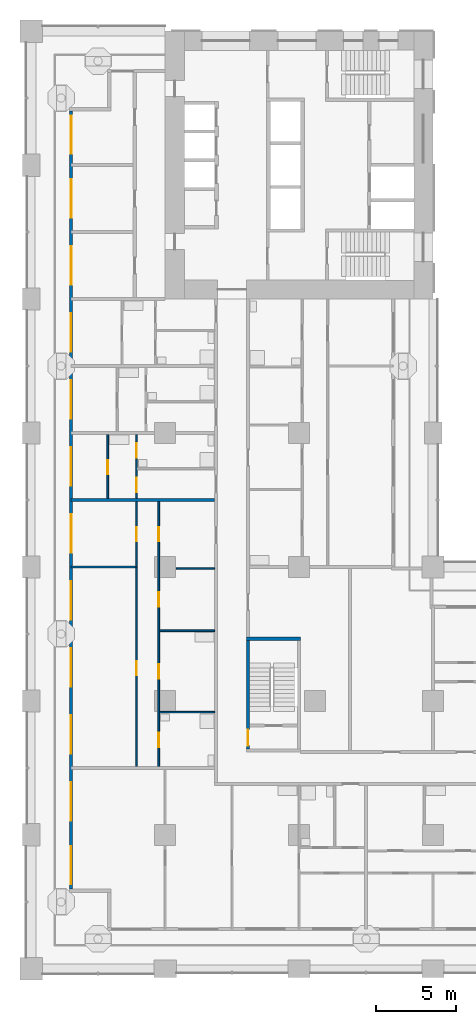
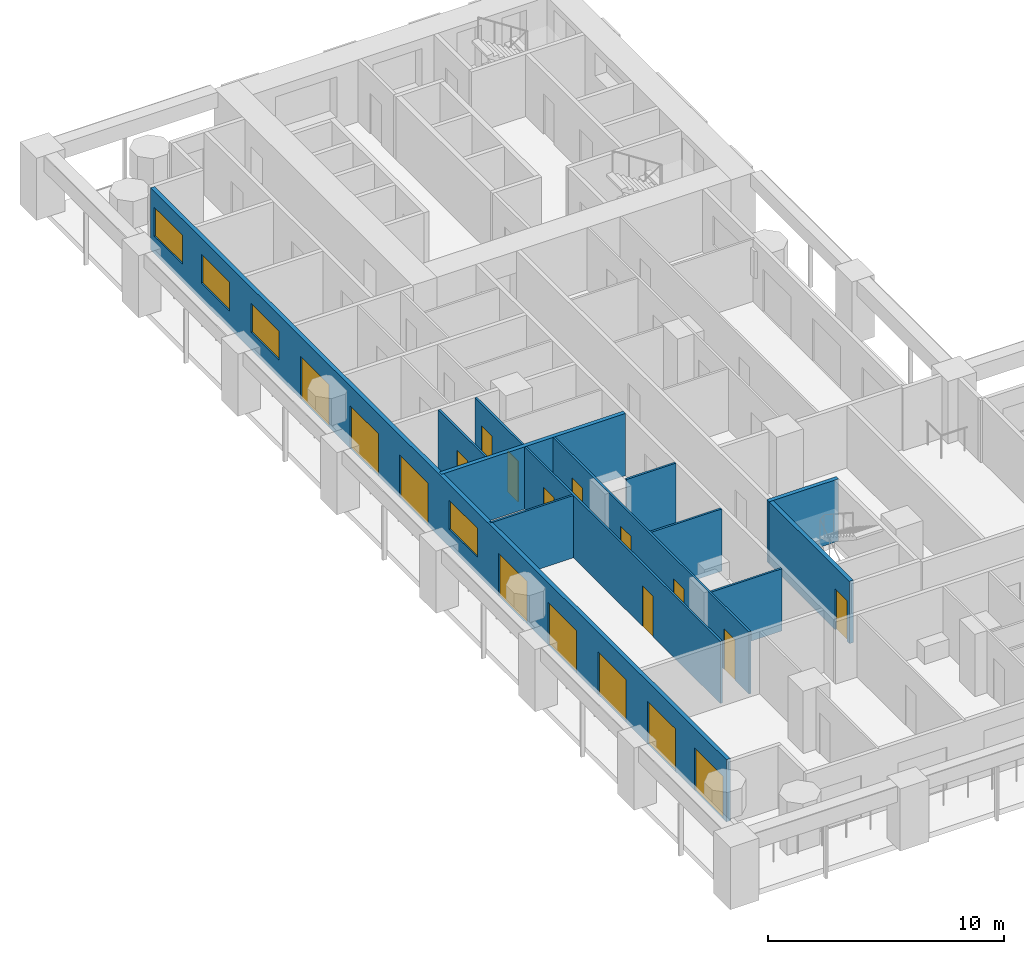
# One storey, part 3 of 19: 18 doors, 11 walls, 4 windows, 22 openings.
"""IFC4 building model written with IfcOpenShell, lengths in metres."""

import ifcopenshell
import ifcopenshell.guid

model = None  # the IFC model being written
_history = None  # IfcOwnerHistory: only IFC2X3 demands one
_inside = {}  # id of a spatial element -> (the spatial element, [elements in it])
_under = {}  # id of a project, library or spatial element -> (it, [spatial elements below it])
_declared = {}  # id of a project -> (the project, [libraries it declares])
_typed = {}  # id of a type object -> (the type object, [elements of that type])
_made_of = {}  # id of a material, layer set ... -> (it, [elements and type objects made of it])


def new_model(schema):
    """Start an empty IFC model of exactly this schema.

    Asked for "IFC4X3", IfcOpenShell would pick the latest addendum, in which some entities
    have other attributes; the version numbers below select the first issue.
    IFC2X3 requires an IfcOwnerHistory on every rooted entity: one is made here for all.
    """
    global model, _history
    if schema == "IFC4X3":
        model = ifcopenshell.file(schema_version=(4, 3, 0, 0))
    else:
        model = ifcopenshell.file(schema=schema)
    _inside.clear()
    _under.clear()
    _declared.clear()
    _typed.clear()
    _made_of.clear()
    _history = None
    if model.schema == "IFC2X3":
        org = make("IfcOrganization", Name="unknown")
        user = make(
            "IfcPersonAndOrganization",
            ThePerson=make("IfcPerson", FamilyName="unknown"),
            TheOrganization=org,
        )
        app = make(
            "IfcApplication",
            ApplicationDeveloper=org,
            Version="unknown",
            ApplicationFullName="unknown",
            ApplicationIdentifier="unknown",
        )
        _history = make(
            "IfcOwnerHistory",
            OwningUser=user,
            OwningApplication=app,
            ChangeAction="ADDED",
            CreationDate=0,
        )
    return model


def make(cls, **values):
    """One entity of the class cls with the attributes given. An attribute that is None is left unset."""
    return model.create_entity(
        cls, **{name: value for name, value in values.items() if value is not None}
    )


def rooted(cls, **values):
    """An entity with a GlobalId (a new one), such as an element, a storey or a relation."""
    return make(cls, GlobalId=ifcopenshell.guid.new(), OwnerHistory=_history, **values)


def si_unit(unit_type, name, prefix=None):
    """IfcSIUnit, for example si_unit("LENGTHUNIT", "METRE", prefix="MILLI")."""
    return make("IfcSIUnit", UnitType=unit_type, Prefix=prefix, Name=name)


def assignment(units):
    """IfcUnitAssignment: the units of a project."""
    return None if units is None else make("IfcUnitAssignment", Units=units)


def point(xyz):
    """IfcCartesianPoint."""
    return None if xyz is None else make("IfcCartesianPoint", Coordinates=xyz)


def direction(xyz):
    """IfcDirection."""
    return None if xyz is None else make("IfcDirection", DirectionRatios=xyz)


def frame(location, z_axis=None, x_axis=None):
    """IfcAxis2Placement3D, a coordinate frame: its origin and axes. An axis left out is left unset."""
    return make(
        "IfcAxis2Placement3D",
        Location=point(location),
        Axis=direction(z_axis),
        RefDirection=direction(x_axis),
    )


def frame_2d(location, x_axis=None):
    """IfcAxis2Placement2D, a coordinate frame in the plane: its origin and x axis."""
    return make(
        "IfcAxis2Placement2D", Location=point(location), RefDirection=direction(x_axis)
    )


def origin():
    """The frame at (0, 0, 0) with its axes left unset."""
    return frame((0.0, 0.0, 0.0))


def place(relative_to, where):
    """IfcLocalPlacement: puts the frame where relative to a parent placement (None: the world)."""
    return make(
        "IfcLocalPlacement", PlacementRelTo=relative_to, RelativePlacement=where
    )


def context(
    kind, dimensions, precision=None, world=None, true_north=None, identifier=None
):
    """IfcGeometricRepresentationContext, for example the 3D "Model" context."""
    return make(
        "IfcGeometricRepresentationContext",
        ContextIdentifier=identifier,
        ContextType=kind,
        CoordinateSpaceDimension=dimensions,
        Precision=precision,
        WorldCoordinateSystem=world,
        TrueNorth=true_north,
    )


def subcontext(parent, identifier, kind, view, scale=None):
    """IfcGeometricRepresentationSubContext, for example "Body" below "Model"."""
    return make(
        "IfcGeometricRepresentationSubContext",
        ContextIdentifier=identifier,
        ContextType=kind,
        ParentContext=parent,
        TargetScale=scale,
        TargetView=view,
    )


def project(units=None, contexts=None):
    """IfcProject with its units and contexts."""
    return rooted(
        "IfcProject",
        Name="project",
        RepresentationContexts=contexts,
        UnitsInContext=assignment(units),
    )


def spatial(cls, under=None, at=None, **own):
    """A site, building, storey or space (cls), placed at a placement, below another one or the project."""
    s = rooted(cls, ObjectPlacement=at, **own)
    if under is not None:
        _under.setdefault(under.id(), (under, []))[1].append(s)
    return s


def profile(cls, at=None, kind="AREA", **sizes):
    """A parametric profile (cls). Its sizes go by their IFC names, for example OverallWidth=200.0."""
    return make(cls, ProfileType=kind, Position=at, **sizes)


def rectangle(**sizes):
    """IfcRectangleProfileDef."""
    return profile("IfcRectangleProfileDef", **sizes)


def extrude(swept, where, along, depth):
    """IfcExtrudedAreaSolid: the profile swept, set in the frame where, extruded along a direction by depth."""
    return make(
        "IfcExtrudedAreaSolid",
        SweptArea=swept,
        Position=where,
        ExtrudedDirection=direction(along),
        Depth=depth,
    )


def shape(context_of_items, identifier, shape_type, items):
    """IfcShapeRepresentation: the items that make up one representation, for example the "Body"."""
    return make(
        "IfcShapeRepresentation",
        ContextOfItems=context_of_items,
        RepresentationIdentifier=identifier,
        RepresentationType=shape_type,
        Items=items,
    )


def material(Name=None, Category=None):
    """IfcMaterial."""
    return make("IfcMaterial", Name=Name, Category=Category)


def layer(
    of_material, thickness, ventilated=None, Name=None, Category=None, Priority=None
):
    """IfcMaterialLayer: one layer of a wall or slab, of a material (None: an air gap)."""
    return make(
        "IfcMaterialLayer",
        Material=of_material,
        LayerThickness=thickness,
        IsVentilated=ventilated,
        Name=Name,
        Category=Category,
        Priority=Priority,
    )


def layer_set(layers, Name=None):
    """IfcMaterialLayerSet."""
    return make("IfcMaterialLayerSet", MaterialLayers=layers, LayerSetName=Name)


def made_of(thing, what):
    """Note that an element or type object is made of a material, layer set ...; save() writes the relation."""
    if what is not None:
        _made_of.setdefault(what.id(), (what, []))[1].append(thing)
    return thing


def type_object(cls, material=None, **own):
    """A type object (cls), such as IfcWallType, which elements share."""
    return made_of(rooted(cls, **own), material)


def element(
    cls,
    number,
    at=None,
    inside=None,
    cuts=None,
    type_object=None,
    material=None,
    context=None,
    identifier="Body",
    shape_type=None,
    held_by="IfcProductDefinitionShape",
    body=None,
    shapes=None,
    **own,
):
    """One element of the class cls, such as IfcWall. Its Tag is "e" and its number.

    at: its placement. inside: the storey or other place that contains it. cuts: it is an
    opening in that element (IfcRelVoidsElement). A single representation is given by context,
    identifier, shape_type and body (its items); several are given by shapes. held_by: the class
    of the entity that holds the representations. save() writes the other relations.
    """
    e = rooted(cls, Tag="e%d" % number, ObjectPlacement=at, **own)
    if body is not None:
        shapes = [shape(context, identifier, shape_type, body)]
    if shapes is not None:
        e.Representation = make(held_by, Representations=shapes)
    if inside is not None:
        _inside.setdefault(inside.id(), (inside, []))[1].append(e)
    if cuts is not None:
        rooted(
            "IfcRelVoidsElement", RelatingBuildingElement=cuts, RelatedOpeningElement=e
        )
    if type_object is not None:
        _typed.setdefault(type_object.id(), (type_object, []))[1].append(e)
    return made_of(e, material)


def fill(opening, filler):
    """IfcRelFillsElement: the door or window that sits in an opening."""
    return rooted(
        "IfcRelFillsElement",
        RelatingOpeningElement=opening,
        RelatedBuildingElement=filler,
    )


def aggregate(whole, parts):
    """IfcRelAggregates: a whole, such as a stair, and the parts it consists of."""
    return rooted("IfcRelAggregates", RelatingObject=whole, RelatedObjects=parts)


def save(model, path):
    """Write the relations noted so far, then the file.

    IfcRelAggregates (storeys below a building ...), IfcRelContainedInSpatialStructure (elements
    in a storey), IfcRelDefinesByType, IfcRelAssociatesMaterial and IfcRelDeclares: one each for
    every whole, place, type object, material and project.
    """
    for whole, parts in _under.values():
        aggregate(whole, parts)
    for where, things in _inside.values():
        rooted(
            "IfcRelContainedInSpatialStructure",
            RelatedElements=things,
            RelatingStructure=where,
        )
    for kind, things in _typed.values():
        rooted("IfcRelDefinesByType", RelatedObjects=things, RelatingType=kind)
    for what, things in _made_of.values():
        rooted("IfcRelAssociatesMaterial", RelatedObjects=things, RelatingMaterial=what)
    for by, libraries in _declared.values():
        rooted("IfcRelDeclares", RelatingContext=by, RelatedDefinitions=libraries)
    model.write(path)


model = new_model("IFC4")

# Units and contexts
model_context = context("Model", 3, precision=1e-05, world=origin(), true_north=direction((0.0, 1.0)))
body_context = subcontext(model_context, "Body", "Model", "MODEL_VIEW")
ifc_project = project(units=[si_unit("LENGTHUNIT", "METRE"), si_unit("AREAUNIT", "SQUARE_METRE"), si_unit("VOLUMEUNIT", "CUBIC_METRE"), si_unit("PLANEANGLEUNIT", "RADIAN"), si_unit("MASSUNIT", "GRAM", prefix="KILO")], contexts=[model_context])

# Site, building, storey
site_placement = place(None, origin())
site = spatial("IfcSite", under=ifc_project, at=site_placement, CompositionType="ELEMENT")
building_placement = place(site_placement, origin())
building = spatial("IfcBuilding", under=site, at=building_placement, Name="Vermilion Gate Residences", CompositionType="ELEMENT")
storey_placement = place(building_placement, frame((0.0, 0.0, 32.199951171875)))
storey = spatial("IfcBuildingStorey", under=building, at=storey_placement, Name="L06", CompositionType="ELEMENT", Elevation=32.199951171875)

# Wall, openings, doors, windows
ifc_material_1 = material(Name="Insulated steel stud wall with terracotta rainscreen", Category="masonry")
ifc_layer_1 = layer(ifc_material_1, 0.199951171875)
ifc_layer_set_1 = layer_set([ifc_layer_1], Name="EXTERNAL WALL 200 TERRACOTTA RAINSCREEN")
wall_type_1 = type_object("IfcWallType", Name="EXTERNAL WALL 200 TERRACOTTA RAINSCREEN", PredefinedType="SOLIDWALL", material=ifc_layer_set_1)
wall_1_placement = place(storey_placement, frame((2.5, 53.800048828125, 0.0), z_axis=(0.0, 0.0, 1.0), x_axis=(0.0, -1.0, 0.0)))
wall_1 = element("IfcWall", 1, at=wall_1_placement, inside=storey, type_object=wall_type_1, Name="External wall", PredefinedType="SOLIDWALL", context=body_context, shape_type="SweptSolid", body=[
    extrude(rectangle(XDim=48.800048828125, YDim=0.199951171875, at=frame_2d((24.39990234375, 0.0))), origin(), (0.0, 0.0, 1.0), 3.219970703125),
])
opening_1_placement = place(wall_1_placement, frame((46.10009765625, 0.0, 0.0)))
opening_1 = element("IfcOpeningElement", 2, at=opening_1_placement, cuts=wall_1, Name="Opening DE06002", PredefinedType="OPENING", context=body_context, shape_type="SweptSolid", body=[
    extrude(rectangle(XDim=2.39990234375, YDim=2.199951171875, at=frame_2d((1.199951171875, 1.10009765625))), frame((0.0, 0.10986328125, 0.0), z_axis=(0.0, -1.0, 0.0), x_axis=(1.0, 0.0, 0.0)), (0.0, 0.0, 1.0), 0.219970703125),
])
opening_2_placement = place(wall_1_placement, frame((42.10009765625, 0.0, 0.0)))
opening_2 = element("IfcOpeningElement", 3, at=opening_2_placement, cuts=wall_1, Name="Opening DE06003", PredefinedType="OPENING", context=body_context, shape_type="SweptSolid", body=[
    extrude(rectangle(XDim=2.39990234375, YDim=2.199951171875, at=frame_2d((1.199951171875, 1.10009765625))), frame((0.0, 0.10986328125, 0.0), z_axis=(0.0, -1.0, 0.0), x_axis=(1.0, 0.0, 0.0)), (0.0, 0.0, 1.0), 0.219970703125),
])
opening_3_placement = place(wall_1_placement, frame((37.89990234375, 0.0, 0.0)))
opening_3 = element("IfcOpeningElement", 4, at=opening_3_placement, cuts=wall_1, Name="Opening DE06004", PredefinedType="OPENING", context=body_context, shape_type="SweptSolid", body=[
    extrude(rectangle(XDim=2.39990234375, YDim=2.199951171875, at=frame_2d((1.199951171875, 1.10009765625))), frame((0.0, 0.10986328125, 0.0), z_axis=(0.0, -1.0, 0.0), x_axis=(1.0, 0.0, 0.0)), (0.0, 0.0, 1.0), 0.219970703125),
])
opening_4_placement = place(wall_1_placement, frame((33.699951171875, 0.0, 0.0)))
opening_4 = element("IfcOpeningElement", 5, at=opening_4_placement, cuts=wall_1, Name="Opening DE06005", PredefinedType="OPENING", context=body_context, shape_type="SweptSolid", body=[
    extrude(rectangle(XDim=2.39990234375, YDim=2.199951171875, at=frame_2d((1.199951171875, 1.10009765625))), frame((0.0, 0.10986328125, 0.0), z_axis=(0.0, -1.0, 0.0), x_axis=(1.0, 0.0, 0.0)), (0.0, 0.0, 1.0), 0.219970703125),
])
opening_5_placement = place(wall_1_placement, frame((29.5, 0.0, 0.0)))
opening_5 = element("IfcOpeningElement", 6, at=opening_5_placement, cuts=wall_1, Name="Opening DE06006", PredefinedType="OPENING", context=body_context, shape_type="SweptSolid", body=[
    extrude(rectangle(XDim=2.39990234375, YDim=2.199951171875, at=frame_2d((1.199951171875, 1.10009765625))), frame((0.0, 0.10986328125, 0.0), z_axis=(0.0, -1.0, 0.0), x_axis=(1.0, 0.0, 0.0)), (0.0, 0.0, 1.0), 0.219970703125),
])
opening_6_placement = place(wall_1_placement, frame((25.300048828125, 0.0, 0.89990234375)))
opening_6 = element("IfcOpeningElement", 7, at=opening_6_placement, cuts=wall_1, Name="Opening WE06007", PredefinedType="OPENING", context=body_context, shape_type="SweptSolid", body=[
    extrude(rectangle(XDim=2.39990234375, YDim=1.5, at=frame_2d((1.199951171875, 0.75))), frame((0.0, 0.10986328125, 0.0), z_axis=(0.0, -1.0, 0.0), x_axis=(1.0, 0.0, 0.0)), (0.0, 0.0, 1.0), 0.219970703125),
])
opening_7_placement = place(wall_1_placement, frame((21.10009765625, 0.0, 0.0)))
opening_7 = element("IfcOpeningElement", 8, at=opening_7_placement, cuts=wall_1, Name="Opening DE06008", PredefinedType="OPENING", context=body_context, shape_type="SweptSolid", body=[
    extrude(rectangle(XDim=2.39990234375, YDim=2.199951171875, at=frame_2d((1.199951171875, 1.10009765625))), frame((0.0, 0.10986328125, 0.0), z_axis=(0.0, -1.0, 0.0), x_axis=(1.0, 0.0, 0.0)), (0.0, 0.0, 1.0), 0.219970703125),
])
opening_8_placement = place(wall_1_placement, frame((16.89990234375, 0.0, 0.0)))
opening_8 = element("IfcOpeningElement", 9, at=opening_8_placement, cuts=wall_1, Name="Opening DE06009", PredefinedType="OPENING", context=body_context, shape_type="SweptSolid", body=[
    extrude(rectangle(XDim=2.39990234375, YDim=2.199951171875, at=frame_2d((1.199951171875, 1.10009765625))), frame((0.0, 0.10986328125, 0.0), z_axis=(0.0, -1.0, 0.0), x_axis=(1.0, 0.0, 0.0)), (0.0, 0.0, 1.0), 0.219970703125),
])
opening_9_placement = place(wall_1_placement, frame((12.699951171875, 0.0, 0.0)))
opening_9 = element("IfcOpeningElement", 10, at=opening_9_placement, cuts=wall_1, Name="Opening DE06010", PredefinedType="OPENING", context=body_context, shape_type="SweptSolid", body=[
    extrude(rectangle(XDim=2.39990234375, YDim=2.199951171875, at=frame_2d((1.199951171875, 1.10009765625))), frame((0.0, 0.10986328125, 0.0), z_axis=(0.0, -1.0, 0.0), x_axis=(1.0, 0.0, 0.0)), (0.0, 0.0, 1.0), 0.219970703125),
])
opening_10_placement = place(wall_1_placement, frame((8.5, 0.0, 0.89990234375)))
opening_10 = element("IfcOpeningElement", 11, at=opening_10_placement, cuts=wall_1, Name="Opening WE06011", PredefinedType="OPENING", context=body_context, shape_type="SweptSolid", body=[
    extrude(rectangle(XDim=2.39990234375, YDim=1.5, at=frame_2d((1.199951171875, 0.75))), frame((0.0, 0.10986328125, 0.0), z_axis=(0.0, -1.0, 0.0), x_axis=(1.0, 0.0, 0.0)), (0.0, 0.0, 1.0), 0.219970703125),
])
opening_11_placement = place(wall_1_placement, frame((4.300048828125, 0.0, 0.89990234375)))
opening_11 = element("IfcOpeningElement", 12, at=opening_11_placement, cuts=wall_1, Name="Opening WE06012", PredefinedType="OPENING", context=body_context, shape_type="SweptSolid", body=[
    extrude(rectangle(XDim=2.39990234375, YDim=1.5, at=frame_2d((1.199951171875, 0.75))), frame((0.0, 0.10986328125, 0.0), z_axis=(0.0, -1.0, 0.0), x_axis=(1.0, 0.0, 0.0)), (0.0, 0.0, 1.0), 0.219970703125),
])
opening_12_placement = place(wall_1_placement, frame((0.300048828125, 0.0, 0.89990234375)))
opening_12 = element("IfcOpeningElement", 13, at=opening_12_placement, cuts=wall_1, Name="Opening WE06013", PredefinedType="OPENING", context=body_context, shape_type="SweptSolid", body=[
    extrude(rectangle(XDim=2.39990234375, YDim=1.5, at=frame_2d((1.199951171875, 0.75))), frame((0.0, 0.10986328125, 0.0), z_axis=(0.0, -1.0, 0.0), x_axis=(1.0, 0.0, 0.0)), (0.0, 0.0, 1.0), 0.219970703125),
])
ifc_material_2 = material(Name="Aluminium and clear glass", Category="aluminium")
door_type_1 = type_object("IfcDoorType", Name="SLIDING GLAZED DOOR 2400 X 2200", OperationType="DOUBLE_DOOR_SLIDING", PredefinedType="DOOR", material=ifc_material_2)
door_1_placement = place(opening_1_placement, origin())
door_1 = element("IfcDoor", 14, at=door_1_placement, inside=storey, type_object=door_type_1, Name="Loggia sliding door", OperationType="DOUBLE_DOOR_SLIDING", OverallHeight=2.199951171875, OverallWidth=2.39990234375, PredefinedType="DOOR", context=body_context, shape_type="SweptSolid", body=[
    extrude(rectangle(XDim=2.39990234375, YDim=2.199951171875, at=frame_2d((1.199951171875, 1.10009765625))), frame((0.0, 0.02490234375, 0.0), z_axis=(0.0, -1.0, 0.0), x_axis=(1.0, 0.0, 0.0)), (0.0, 0.0, 1.0), 0.050048828125),
])
fill(opening_1, door_1)
door_2_placement = place(opening_2_placement, origin())
door_2 = element("IfcDoor", 15, at=door_2_placement, inside=storey, type_object=door_type_1, Name="Loggia sliding door", OperationType="DOUBLE_DOOR_SLIDING", OverallHeight=2.199951171875, OverallWidth=2.39990234375, PredefinedType="DOOR", context=body_context, shape_type="SweptSolid", body=[
    extrude(rectangle(XDim=2.39990234375, YDim=2.199951171875, at=frame_2d((1.199951171875, 1.10009765625))), frame((0.0, 0.02490234375, 0.0), z_axis=(0.0, -1.0, 0.0), x_axis=(1.0, 0.0, 0.0)), (0.0, 0.0, 1.0), 0.050048828125),
])
fill(opening_2, door_2)
door_3_placement = place(opening_3_placement, origin())
door_3 = element("IfcDoor", 16, at=door_3_placement, inside=storey, type_object=door_type_1, Name="Loggia sliding door", OperationType="DOUBLE_DOOR_SLIDING", OverallHeight=2.199951171875, OverallWidth=2.39990234375, PredefinedType="DOOR", context=body_context, shape_type="SweptSolid", body=[
    extrude(rectangle(XDim=2.39990234375, YDim=2.199951171875, at=frame_2d((1.199951171875, 1.10009765625))), frame((0.0, 0.02490234375, 0.0), z_axis=(0.0, -1.0, 0.0), x_axis=(1.0, 0.0, 0.0)), (0.0, 0.0, 1.0), 0.050048828125),
])
fill(opening_3, door_3)
door_4_placement = place(opening_4_placement, origin())
door_4 = element("IfcDoor", 17, at=door_4_placement, inside=storey, type_object=door_type_1, Name="Loggia sliding door", OperationType="DOUBLE_DOOR_SLIDING", OverallHeight=2.199951171875, OverallWidth=2.39990234375, PredefinedType="DOOR", context=body_context, shape_type="SweptSolid", body=[
    extrude(rectangle(XDim=2.39990234375, YDim=2.199951171875, at=frame_2d((1.199951171875, 1.10009765625))), frame((0.0, 0.02490234375, 0.0), z_axis=(0.0, -1.0, 0.0), x_axis=(1.0, 0.0, 0.0)), (0.0, 0.0, 1.0), 0.050048828125),
])
fill(opening_4, door_4)
door_5_placement = place(opening_5_placement, origin())
door_5 = element("IfcDoor", 18, at=door_5_placement, inside=storey, type_object=door_type_1, Name="Loggia sliding door", OperationType="DOUBLE_DOOR_SLIDING", OverallHeight=2.199951171875, OverallWidth=2.39990234375, PredefinedType="DOOR", context=body_context, shape_type="SweptSolid", body=[
    extrude(rectangle(XDim=2.39990234375, YDim=2.199951171875, at=frame_2d((1.199951171875, 1.10009765625))), frame((0.0, 0.02490234375, 0.0), z_axis=(0.0, -1.0, 0.0), x_axis=(1.0, 0.0, 0.0)), (0.0, 0.0, 1.0), 0.050048828125),
])
fill(opening_5, door_5)
door_6_placement = place(opening_7_placement, origin())
door_6 = element("IfcDoor", 19, at=door_6_placement, inside=storey, type_object=door_type_1, Name="Loggia sliding door", OperationType="DOUBLE_DOOR_SLIDING", OverallHeight=2.199951171875, OverallWidth=2.39990234375, PredefinedType="DOOR", context=body_context, shape_type="SweptSolid", body=[
    extrude(rectangle(XDim=2.39990234375, YDim=2.199951171875, at=frame_2d((1.199951171875, 1.10009765625))), frame((0.0, 0.02490234375, 0.0), z_axis=(0.0, -1.0, 0.0), x_axis=(1.0, 0.0, 0.0)), (0.0, 0.0, 1.0), 0.050048828125),
])
fill(opening_7, door_6)
door_7_placement = place(opening_8_placement, origin())
door_7 = element("IfcDoor", 20, at=door_7_placement, inside=storey, type_object=door_type_1, Name="Loggia sliding door", OperationType="DOUBLE_DOOR_SLIDING", OverallHeight=2.199951171875, OverallWidth=2.39990234375, PredefinedType="DOOR", context=body_context, shape_type="SweptSolid", body=[
    extrude(rectangle(XDim=2.39990234375, YDim=2.199951171875, at=frame_2d((1.199951171875, 1.10009765625))), frame((0.0, 0.02490234375, 0.0), z_axis=(0.0, -1.0, 0.0), x_axis=(1.0, 0.0, 0.0)), (0.0, 0.0, 1.0), 0.050048828125),
])
fill(opening_8, door_7)
door_8_placement = place(opening_9_placement, origin())
door_8 = element("IfcDoor", 21, at=door_8_placement, inside=storey, type_object=door_type_1, Name="Loggia sliding door", OperationType="DOUBLE_DOOR_SLIDING", OverallHeight=2.199951171875, OverallWidth=2.39990234375, PredefinedType="DOOR", context=body_context, shape_type="SweptSolid", body=[
    extrude(rectangle(XDim=2.39990234375, YDim=2.199951171875, at=frame_2d((1.199951171875, 1.10009765625))), frame((0.0, 0.02490234375, 0.0), z_axis=(0.0, -1.0, 0.0), x_axis=(1.0, 0.0, 0.0)), (0.0, 0.0, 1.0), 0.050048828125),
])
fill(opening_9, door_8)
ifc_material_3 = material(Name="Aluminium and clear glass", Category="aluminium")
window_type = type_object("IfcWindowType", Name="WINDOW 2400 X 1500", PartitioningType="SINGLE_PANEL", PredefinedType="WINDOW", material=ifc_material_3)
window_1_placement = place(opening_6_placement, origin())
window_1 = element("IfcWindow", 22, at=window_1_placement, inside=storey, type_object=window_type, Name="Window", OverallHeight=1.5, OverallWidth=2.39990234375, PartitioningType="SINGLE_PANEL", PredefinedType="WINDOW", context=body_context, shape_type="SweptSolid", body=[
    extrude(rectangle(XDim=2.39990234375, YDim=1.5, at=frame_2d((1.199951171875, 0.75))), frame((0.0, 0.030029296875, 0.0), z_axis=(0.0, -1.0, 0.0), x_axis=(1.0, 0.0, 0.0)), (0.0, 0.0, 1.0), 0.06005859375),
])
fill(opening_6, window_1)
window_2_placement = place(opening_10_placement, origin())
window_2 = element("IfcWindow", 23, at=window_2_placement, inside=storey, type_object=window_type, Name="Window", OverallHeight=1.5, OverallWidth=2.39990234375, PartitioningType="SINGLE_PANEL", PredefinedType="WINDOW", context=body_context, shape_type="SweptSolid", body=[
    extrude(rectangle(XDim=2.39990234375, YDim=1.5, at=frame_2d((1.199951171875, 0.75))), frame((0.0, 0.030029296875, 0.0), z_axis=(0.0, -1.0, 0.0), x_axis=(1.0, 0.0, 0.0)), (0.0, 0.0, 1.0), 0.06005859375),
])
fill(opening_10, window_2)
window_3_placement = place(opening_11_placement, origin())
window_3 = element("IfcWindow", 24, at=window_3_placement, inside=storey, type_object=window_type, Name="Window", OverallHeight=1.5, OverallWidth=2.39990234375, PartitioningType="SINGLE_PANEL", PredefinedType="WINDOW", context=body_context, shape_type="SweptSolid", body=[
    extrude(rectangle(XDim=2.39990234375, YDim=1.5, at=frame_2d((1.199951171875, 0.75))), frame((0.0, 0.030029296875, 0.0), z_axis=(0.0, -1.0, 0.0), x_axis=(1.0, 0.0, 0.0)), (0.0, 0.0, 1.0), 0.06005859375),
])
fill(opening_11, window_3)
window_4_placement = place(opening_12_placement, origin())
window_4 = element("IfcWindow", 25, at=window_4_placement, inside=storey, type_object=window_type, Name="Window", OverallHeight=1.5, OverallWidth=2.39990234375, PartitioningType="SINGLE_PANEL", PredefinedType="WINDOW", context=body_context, shape_type="SweptSolid", body=[
    extrude(rectangle(XDim=2.39990234375, YDim=1.5, at=frame_2d((1.199951171875, 0.75))), frame((0.0, 0.030029296875, 0.0), z_axis=(0.0, -1.0, 0.0), x_axis=(1.0, 0.0, 0.0)), (0.0, 0.0, 1.0), 0.06005859375),
])
fill(opening_12, window_4)

# Walls
ifc_material_4 = material(Name="Plasterboard on steel studs", Category="steel")
ifc_layer_2 = layer(ifc_material_4, 0.10009765625)
ifc_layer_set_2 = layer_set([ifc_layer_2], Name="PARTITION 100")
wall_type_2 = type_object("IfcWallType", Name="PARTITION 100", PredefinedType="PARTITIONING", material=ifc_layer_set_2)
for number, where, z_axis, x_axis, name in (
    (26, (8.050048828125, 16.10009765625, 0.0), (0.0, 0.0, 1.0), (1.0, 0.0, 0.0), "Partition"),
    (27, (8.050048828125, 21.199951171875, 0.0), (0.0, 0.0, 1.0), (1.0, 0.0, 0.0), "Partition"),
):
    element("IfcWall", number, at=place(storey_placement, frame(where, z_axis=z_axis, x_axis=x_axis)), inside=storey, type_object=wall_type_2, Name=name, PredefinedType="PARTITIONING", context=body_context, shape_type="SweptSolid", body=[
        extrude(rectangle(XDim=3.449951171875, YDim=0.10009765625, at=frame_2d((1.72509765625, 0.0))), origin(), (0.0, 0.0, 1.0), 3.219970703125),
    ])
wall_2_placement = place(storey_placement, frame((9.10009765625, 25.10009765625, 0.0), z_axis=(0.0, 0.0, 1.0), x_axis=(1.0, 0.0, 0.0)))
element("IfcWall", 28, at=wall_2_placement, inside=storey, type_object=wall_type_2, Name="Partition", PredefinedType="PARTITIONING", context=body_context, shape_type="SweptSolid", body=[
    extrude(rectangle(XDim=2.39990234375, YDim=0.10009765625, at=frame_2d((1.199951171875, 0.0))), origin(), (0.0, 0.0, 1.0), 3.219970703125),
])
wall_3_placement = place(storey_placement, frame((2.5, 25.199951171875, 0.0), z_axis=(0.0, 0.0, 1.0), x_axis=(1.0, 0.0, 0.0)))
element("IfcWall", 29, at=wall_3_placement, inside=storey, type_object=wall_type_2, Name="Partition", PredefinedType="PARTITIONING", context=body_context, shape_type="SweptSolid", body=[
    extrude(rectangle(XDim=4.050048828125, YDim=0.10009765625, at=frame_2d((2.02490234375, 0.0))), origin(), (0.0, 0.0, 1.0), 3.219970703125),
])

# Wall, opening, door
wall_4_placement = place(storey_placement, frame((4.800048828125, 29.5, 0.0), z_axis=(0.0, 0.0, 1.0), x_axis=(0.0, 1.0, 0.0)))
wall_4 = element("IfcWall", 30, at=wall_4_placement, inside=storey, type_object=wall_type_2, Name="Partition", PredefinedType="PARTITIONING", context=body_context, shape_type="SweptSolid", body=[
    extrude(rectangle(XDim=4.0, YDim=0.10009765625, at=frame_2d((2.0, 0.0))), origin(), (0.0, 0.0, 1.0), 3.219970703125),
])
opening_13_placement = place(wall_4_placement, frame((1.5, 0.0, 0.0)))
opening_13 = element("IfcOpeningElement", 31, at=opening_13_placement, cuts=wall_4, Name="Opening DA04032", PredefinedType="OPENING", context=body_context, shape_type="SweptSolid", body=[
    extrude(rectangle(XDim=0.89990234375, YDim=2.10009765625, at=frame_2d((0.449951171875, 1.050048828125))), frame((0.0, 0.06005859375, 0.0), z_axis=(0.0, -1.0, 0.0), x_axis=(1.0, 0.0, 0.0)), (0.0, 0.0, 1.0), 0.1201171875),
])
ifc_material_5 = material(Name="Timber", Category="wood")
door_type_2 = type_object("IfcDoorType", Name="INTERIOR DOOR 900 X 2100", OperationType="SINGLE_SWING_LEFT", PredefinedType="DOOR", material=ifc_material_5)
door_9_placement = place(opening_13_placement, frame((0.89990234375, 0.0, 0.0), z_axis=(0.0, 0.0, 1.0), x_axis=(-1.0, 0.0, 0.0)))
door_9 = element("IfcDoor", 32, at=door_9_placement, inside=storey, type_object=door_type_2, Name="Interior door", OperationType="SINGLE_SWING_LEFT", OverallHeight=2.10009765625, OverallWidth=0.89990234375, PredefinedType="DOOR", context=body_context, shape_type="SweptSolid", body=[
    extrude(rectangle(XDim=0.89990234375, YDim=2.10009765625, at=frame_2d((0.449951171875, 1.050048828125))), frame((0.0, 0.02490234375, 0.0), z_axis=(0.0, -1.0, 0.0), x_axis=(1.0, 0.0, 0.0)), (0.0, 0.0, 1.0), 0.050048828125),
])
fill(opening_13, door_9)

# Wall, openings, doors
wall_5_placement = place(storey_placement, frame((6.60009765625, 12.699951171875, 0.0), z_axis=(0.0, 0.0, 1.0), x_axis=(0.0, 1.0, 0.0)))
wall_5 = element("IfcWall", 33, at=wall_5_placement, inside=storey, type_object=wall_type_2, Name="Partition", PredefinedType="PARTITIONING", context=body_context, shape_type="SweptSolid", body=[
    extrude(rectangle(XDim=20.800048828125, YDim=0.10009765625, at=frame_2d((10.39990234375, 0.0))), origin(), (0.0, 0.0, 1.0), 3.219970703125),
])
opening_14_placement = place(wall_5_placement, frame((5.699951171875, 0.0, 0.0)))
opening_14 = element("IfcOpeningElement", 34, at=opening_14_placement, cuts=wall_5, Name="Opening DA04038", PredefinedType="OPENING", context=body_context, shape_type="SweptSolid", body=[
    extrude(rectangle(XDim=0.89990234375, YDim=2.10009765625, at=frame_2d((0.449951171875, 1.050048828125))), frame((0.0, 0.06005859375, 0.0), z_axis=(0.0, -1.0, 0.0), x_axis=(1.0, 0.0, 0.0)), (0.0, 0.0, 1.0), 0.1201171875),
])
opening_15_placement = place(wall_5_placement, frame((14.10009765625, 0.0, 0.0)))
opening_15 = element("IfcOpeningElement", 35, at=opening_15_placement, cuts=wall_5, Name="Opening DA04039", PredefinedType="OPENING", context=body_context, shape_type="SweptSolid", body=[
    extrude(rectangle(XDim=0.89990234375, YDim=2.10009765625, at=frame_2d((0.449951171875, 1.050048828125))), frame((0.0, 0.06005859375, 0.0), z_axis=(0.0, -1.0, 0.0), x_axis=(1.0, 0.0, 0.0)), (0.0, 0.0, 1.0), 0.1201171875),
])
opening_16_placement = place(wall_5_placement, frame((17.199951171875, 0.0, 0.0)))
opening_16 = element("IfcOpeningElement", 36, at=opening_16_placement, cuts=wall_5, Name="Opening DA04040", PredefinedType="OPENING", context=body_context, shape_type="SweptSolid", body=[
    extrude(rectangle(XDim=0.89990234375, YDim=2.10009765625, at=frame_2d((0.449951171875, 1.050048828125))), frame((0.0, 0.06005859375, 0.0), z_axis=(0.0, -1.0, 0.0), x_axis=(1.0, 0.0, 0.0)), (0.0, 0.0, 1.0), 0.1201171875),
])
opening_17_placement = place(wall_5_placement, frame((19.360107421875, 0.0, 0.0)))
opening_17 = element("IfcOpeningElement", 37, at=opening_17_placement, cuts=wall_5, Name="Opening DA04041", PredefinedType="OPENING", context=body_context, shape_type="SweptSolid", body=[
    extrude(rectangle(XDim=0.89990234375, YDim=2.10009765625, at=frame_2d((0.449951171875, 1.050048828125))), frame((0.0, 0.06005859375, 0.0), z_axis=(0.0, -1.0, 0.0), x_axis=(1.0, 0.0, 0.0)), (0.0, 0.0, 1.0), 0.1201171875),
])
door_10_placement = place(opening_14_placement, origin())
door_10 = element("IfcDoor", 38, at=door_10_placement, inside=storey, type_object=door_type_2, Name="Interior door", OperationType="SINGLE_SWING_LEFT", OverallHeight=2.10009765625, OverallWidth=0.89990234375, PredefinedType="DOOR", context=body_context, shape_type="SweptSolid", body=[
    extrude(rectangle(XDim=0.89990234375, YDim=2.10009765625, at=frame_2d((0.449951171875, 1.050048828125))), frame((0.0, 0.02490234375, 0.0), z_axis=(0.0, -1.0, 0.0), x_axis=(1.0, 0.0, 0.0)), (0.0, 0.0, 1.0), 0.050048828125),
])
fill(opening_14, door_10)
door_11_placement = place(opening_15_placement, origin())
door_11 = element("IfcDoor", 39, at=door_11_placement, inside=storey, type_object=door_type_2, Name="Interior door", OperationType="SINGLE_SWING_LEFT", OverallHeight=2.10009765625, OverallWidth=0.89990234375, PredefinedType="DOOR", context=body_context, shape_type="SweptSolid", body=[
    extrude(rectangle(XDim=0.89990234375, YDim=2.10009765625, at=frame_2d((0.449951171875, 1.050048828125))), frame((0.0, 0.02490234375, 0.0), z_axis=(0.0, -1.0, 0.0), x_axis=(1.0, 0.0, 0.0)), (0.0, 0.0, 1.0), 0.050048828125),
])
fill(opening_15, door_11)
door_12_placement = place(opening_16_placement, origin())
door_12 = element("IfcDoor", 40, at=door_12_placement, inside=storey, type_object=door_type_2, Name="Interior door", OperationType="SINGLE_SWING_LEFT", OverallHeight=2.10009765625, OverallWidth=0.89990234375, PredefinedType="DOOR", context=body_context, shape_type="SweptSolid", body=[
    extrude(rectangle(XDim=0.89990234375, YDim=2.10009765625, at=frame_2d((0.449951171875, 1.050048828125))), frame((0.0, 0.02490234375, 0.0), z_axis=(0.0, -1.0, 0.0), x_axis=(1.0, 0.0, 0.0)), (0.0, 0.0, 1.0), 0.050048828125),
])
fill(opening_16, door_12)
door_13_placement = place(opening_17_placement, origin())
door_13 = element("IfcDoor", 41, at=door_13_placement, inside=storey, type_object=door_type_2, Name="Interior door", OperationType="SINGLE_SWING_LEFT", OverallHeight=2.10009765625, OverallWidth=0.89990234375, PredefinedType="DOOR", context=body_context, shape_type="SweptSolid", body=[
    extrude(rectangle(XDim=0.89990234375, YDim=2.10009765625, at=frame_2d((0.449951171875, 1.050048828125))), frame((0.0, 0.02490234375, 0.0), z_axis=(0.0, -1.0, 0.0), x_axis=(1.0, 0.0, 0.0)), (0.0, 0.0, 1.0), 0.050048828125),
])
fill(opening_17, door_13)

wall_6_placement = place(storey_placement, frame((8.0, 12.699951171875, 0.0), z_axis=(0.0, 0.0, 1.0), x_axis=(0.0, 1.0, 0.0)))
wall_6 = element("IfcWall", 42, at=wall_6_placement, inside=storey, type_object=wall_type_2, Name="Partition", PredefinedType="PARTITIONING", context=body_context, shape_type="SweptSolid", body=[
    extrude(rectangle(XDim=16.60009765625, YDim=0.10009765625, at=frame_2d((8.300048828125, 0.0))), origin(), (0.0, 0.0, 1.0), 3.219970703125),
])
opening_18_placement = place(wall_6_placement, frame((14.10009765625, 0.0, 0.0)))
opening_18 = element("IfcOpeningElement", 43, at=opening_18_placement, cuts=wall_6, Name="Opening DA04046", PredefinedType="OPENING", context=body_context, shape_type="SweptSolid", body=[
    extrude(rectangle(XDim=0.89990234375, YDim=2.10009765625, at=frame_2d((0.449951171875, 1.050048828125))), frame((0.0, 0.06005859375, 0.0), z_axis=(0.0, -1.0, 0.0), x_axis=(1.0, 0.0, 0.0)), (0.0, 0.0, 1.0), 0.1201171875),
])
opening_19_placement = place(wall_6_placement, frame((1.199951171875, 0.0, 0.0)))
opening_19 = element("IfcOpeningElement", 44, at=opening_19_placement, cuts=wall_6, Name="Opening DA04047", PredefinedType="OPENING", context=body_context, shape_type="SweptSolid", body=[
    extrude(rectangle(XDim=0.89990234375, YDim=2.10009765625, at=frame_2d((0.449951171875, 1.050048828125))), frame((0.0, 0.06005859375, 0.0), z_axis=(0.0, -1.0, 0.0), x_axis=(1.0, 0.0, 0.0)), (0.0, 0.0, 1.0), 0.1201171875),
])
opening_20_placement = place(wall_6_placement, frame((5.5, 0.0, 0.0)))
opening_20 = element("IfcOpeningElement", 45, at=opening_20_placement, cuts=wall_6, Name="Opening DA04048", PredefinedType="OPENING", context=body_context, shape_type="SweptSolid", body=[
    extrude(rectangle(XDim=0.89990234375, YDim=2.10009765625, at=frame_2d((0.449951171875, 1.050048828125))), frame((0.0, 0.06005859375, 0.0), z_axis=(0.0, -1.0, 0.0), x_axis=(1.0, 0.0, 0.0)), (0.0, 0.0, 1.0), 0.1201171875),
])
opening_21_placement = place(wall_6_placement, frame((10.0, 0.0, 0.0)))
opening_21 = element("IfcOpeningElement", 46, at=opening_21_placement, cuts=wall_6, Name="Opening DA04049", PredefinedType="OPENING", context=body_context, shape_type="SweptSolid", body=[
    extrude(rectangle(XDim=0.89990234375, YDim=2.10009765625, at=frame_2d((0.449951171875, 1.050048828125))), frame((0.0, 0.06005859375, 0.0), z_axis=(0.0, -1.0, 0.0), x_axis=(1.0, 0.0, 0.0)), (0.0, 0.0, 1.0), 0.1201171875),
])
door_14_placement = place(opening_18_placement, frame((0.89990234375, 0.0, 0.0), z_axis=(0.0, 0.0, 1.0), x_axis=(-1.0, 0.0, 0.0)))
door_14 = element("IfcDoor", 47, at=door_14_placement, inside=storey, type_object=door_type_2, Name="Interior door", OperationType="SINGLE_SWING_RIGHT", OverallHeight=2.10009765625, OverallWidth=0.89990234375, PredefinedType="DOOR", context=body_context, shape_type="SweptSolid", body=[
    extrude(rectangle(XDim=0.89990234375, YDim=2.10009765625, at=frame_2d((0.449951171875, 1.050048828125))), frame((0.0, 0.02490234375, 0.0), z_axis=(0.0, -1.0, 0.0), x_axis=(1.0, 0.0, 0.0)), (0.0, 0.0, 1.0), 0.050048828125),
])
fill(opening_18, door_14)
door_15_placement = place(opening_19_placement, frame((0.89990234375, 0.0, 0.0), z_axis=(0.0, 0.0, 1.0), x_axis=(-1.0, 0.0, 0.0)))
door_15 = element("IfcDoor", 48, at=door_15_placement, inside=storey, type_object=door_type_2, Name="Interior door", OperationType="SINGLE_SWING_LEFT", OverallHeight=2.10009765625, OverallWidth=0.89990234375, PredefinedType="DOOR", context=body_context, shape_type="SweptSolid", body=[
    extrude(rectangle(XDim=0.89990234375, YDim=2.10009765625, at=frame_2d((0.449951171875, 1.050048828125))), frame((0.0, 0.02490234375, 0.0), z_axis=(0.0, -1.0, 0.0), x_axis=(1.0, 0.0, 0.0)), (0.0, 0.0, 1.0), 0.050048828125),
])
fill(opening_19, door_15)
door_16_placement = place(opening_20_placement, frame((0.89990234375, 0.0, 0.0), z_axis=(0.0, 0.0, 1.0), x_axis=(-1.0, 0.0, 0.0)))
door_16 = element("IfcDoor", 49, at=door_16_placement, inside=storey, type_object=door_type_2, Name="Interior door", OperationType="SINGLE_SWING_RIGHT", OverallHeight=2.10009765625, OverallWidth=0.89990234375, PredefinedType="DOOR", context=body_context, shape_type="SweptSolid", body=[
    extrude(rectangle(XDim=0.89990234375, YDim=2.10009765625, at=frame_2d((0.449951171875, 1.050048828125))), frame((0.0, 0.02490234375, 0.0), z_axis=(0.0, -1.0, 0.0), x_axis=(1.0, 0.0, 0.0)), (0.0, 0.0, 1.0), 0.050048828125),
])
fill(opening_20, door_16)
door_17_placement = place(opening_21_placement, frame((0.89990234375, 0.0, 0.0), z_axis=(0.0, 0.0, 1.0), x_axis=(-1.0, 0.0, 0.0)))
door_17 = element("IfcDoor", 50, at=door_17_placement, inside=storey, type_object=door_type_2, Name="Interior door", OperationType="SINGLE_SWING_LEFT", OverallHeight=2.10009765625, OverallWidth=0.89990234375, PredefinedType="DOOR", context=body_context, shape_type="SweptSolid", body=[
    extrude(rectangle(XDim=0.89990234375, YDim=2.10009765625, at=frame_2d((0.449951171875, 1.050048828125))), frame((0.0, 0.02490234375, 0.0), z_axis=(0.0, -1.0, 0.0), x_axis=(1.0, 0.0, 0.0)), (0.0, 0.0, 1.0), 0.050048828125),
])
fill(opening_21, door_17)

# Wall
ifc_material_6 = material(Name="Fire-rated plasterboard on steel studs", Category="steel")
ifc_layer_3 = layer(ifc_material_6, 0.199951171875)
ifc_layer_set_3 = layer_set([ifc_layer_3], Name="PARTY WALL 200 EI 120")
wall_type_3 = type_object("IfcWallType", Name="PARTY WALL 200 EI 120", PredefinedType="PARTITIONING", material=ifc_layer_set_3)
wall_7_placement = place(storey_placement, frame((2.5, 29.39990234375, 0.0), z_axis=(0.0, 0.0, 1.0), x_axis=(1.0, 0.0, 0.0)))
element("IfcWall", 51, at=wall_7_placement, inside=storey, type_object=wall_type_3, Name="Party and corridor wall", PredefinedType="PARTITIONING", context=body_context, shape_type="SweptSolid", body=[
    extrude(rectangle(XDim=9.0, YDim=0.199951171875, at=frame_2d((4.5, 0.0))), origin(), (0.0, 0.0, 1.0), 3.219970703125),
])

# Wall, opening, door
ifc_material_7 = material(Name="Concrete C60", Category="concrete")
ifc_layer_4 = layer(ifc_material_7, 0.199951171875)
ifc_layer_set_4 = layer_set([ifc_layer_4], Name="RC CORE INTERNAL WALL 200 C60")
wall_type_4 = type_object("IfcWallType", Name="RC CORE INTERNAL WALL 200 C60", PredefinedType="SHEAR", material=ifc_layer_set_4)
wall_8_placement = place(storey_placement, frame((13.60009765625, 13.800048828125, 0.0), z_axis=(0.0, 0.0, 1.0), x_axis=(0.0, 1.0, 0.0)))
wall_8 = element("IfcWall", 52, at=wall_8_placement, inside=storey, type_object=wall_type_4, Name="Core internal wall C06-W", PredefinedType="SHEAR", context=body_context, shape_type="SweptSolid", body=[
    extrude(rectangle(XDim=6.800048828125, YDim=0.199951171875, at=frame_2d((3.39990234375, 0.0))), origin(), (0.0, 0.0, 1.0), 3.219970703125),
])
opening_22_placement = place(wall_8_placement, frame((0.199951171875, 0.0, 0.0)))
opening_22 = element("IfcOpeningElement", 53, at=opening_22_placement, cuts=wall_8, Name="Opening DK06201", PredefinedType="OPENING", context=body_context, shape_type="SweptSolid", body=[
    extrude(rectangle(XDim=1.0, YDim=2.10009765625, at=frame_2d((0.5, 1.050048828125))), frame((0.0, 0.10986328125, 0.0), z_axis=(0.0, -1.0, 0.0), x_axis=(1.0, 0.0, 0.0)), (0.0, 0.0, 1.0), 0.219970703125),
])
ifc_material_8 = material(Name="Steel", Category="steel")
door_type_3 = type_object("IfcDoorType", Name="FIRE DOOR FD60 1000 X 2100", OperationType="SINGLE_SWING_LEFT", PredefinedType="DOOR", material=ifc_material_8)
door_18_placement = place(opening_22_placement, frame((1.0, 0.0, 0.0), z_axis=(0.0, 0.0, 1.0), x_axis=(-1.0, 0.0, 0.0)))
door_18 = element("IfcDoor", 54, at=door_18_placement, inside=storey, type_object=door_type_3, Name="Stair vestibule door C06", OperationType="SINGLE_SWING_LEFT", OverallHeight=2.10009765625, OverallWidth=1.0, PredefinedType="DOOR", context=body_context, shape_type="SweptSolid", body=[
    extrude(rectangle(XDim=1.0, YDim=2.10009765625, at=frame_2d((0.5, 1.050048828125))), frame((0.0, 0.02490234375, 0.0), z_axis=(0.0, -1.0, 0.0), x_axis=(1.0, 0.0, 0.0)), (0.0, 0.0, 1.0), 0.050048828125),
])
fill(opening_22, door_18)

# Wall
wall_9_placement = place(storey_placement, frame((13.5, 20.699951171875, 0.0), z_axis=(0.0, 0.0, 1.0), x_axis=(1.0, 0.0, 0.0)))
element("IfcWall", 55, at=wall_9_placement, inside=storey, type_object=wall_type_4, Name="Core internal wall C06-N", PredefinedType="SHEAR", context=body_context, shape_type="SweptSolid", body=[
    extrude(rectangle(XDim=3.39990234375, YDim=0.199951171875, at=frame_2d((1.699951171875, 0.0))), origin(), (0.0, 0.0, 1.0), 3.219970703125),
])

save(model, "model.ifc")
